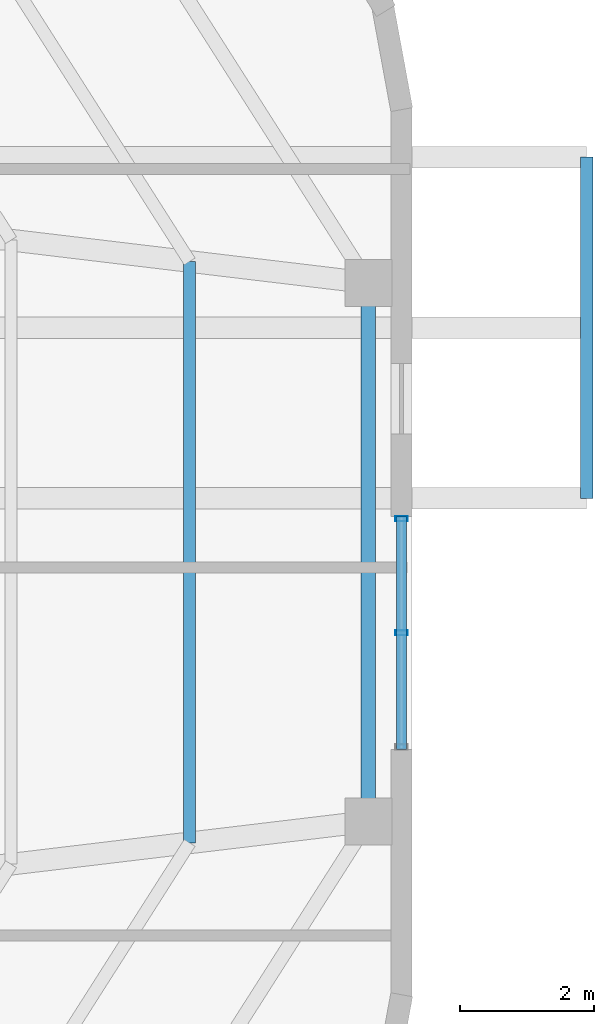
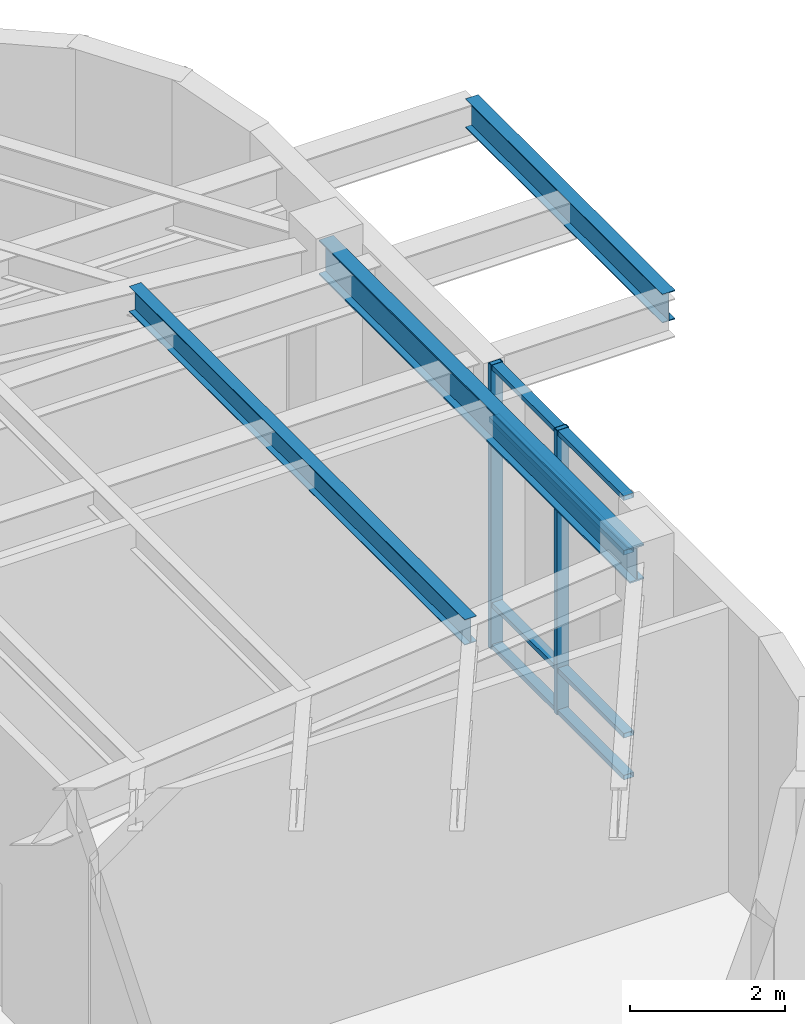
# One storey, part 10 of 18: 6 members, 3 beams, 1 element without a shape of its own.
"""IFC4 building model written with IfcOpenShell, lengths in metres."""

from ifc_helpers import new_model, si_unit, direction, frame, origin, origin_2d, place, context, subcontext, project, spatial, hollow_rectangle, i_section, extrude, material, layer, layer_set, material_profile, profile_set, type_object, element, aggregate, save


model = new_model("IFC4")

# Units and contexts
model_context = context("Model", 3, precision=1e-05, world=origin(), true_north=direction((0.0, 1.0)))
body_context = subcontext(model_context, "Body", "Model", "MODEL_VIEW")
ifc_project = project(units=[si_unit("LENGTHUNIT", "METRE"), si_unit("AREAUNIT", "SQUARE_METRE"), si_unit("VOLUMEUNIT", "CUBIC_METRE"), si_unit("PLANEANGLEUNIT", "RADIAN"), si_unit("MASSUNIT", "GRAM", prefix="KILO"), si_unit("THERMODYNAMICTEMPERATUREUNIT", "KELVIN"), si_unit("POWERUNIT", "WATT")], contexts=[model_context])

# Site, building, storey
site_placement = place(None, origin())
site = spatial("IfcSite", under=ifc_project, at=site_placement, CompositionType="ELEMENT")
building_placement = place(site_placement, origin())
building = spatial("IfcBuilding", under=site, at=building_placement, Name="Skarre Station Tower", CompositionType="ELEMENT")
storey_placement = place(building_placement, frame((0.0, 0.0, 270.300048828125)))
storey = spatial("IfcBuildingStorey", under=building, at=storey_placement, Name="L74", CompositionType="ELEMENT", Elevation=270.300048828125)

# Curtain wall, members
ifc_material_1 = material(Name="Thermally Broken Bronze-Anodized Aluminium & Triple Low-E Glass", Category="aluminium")
ifc_layer = layer(ifc_material_1, 0.219970703125, Name="Thermally Broken Bronze-Anodized Aluminium & Triple Low-E Glass")
ifc_layer_set = layer_set([ifc_layer], Name="Thermally Broken Bronze-Anodized Aluminium & Triple Low-E Glass")
curtain_wall_type = type_object("IfcCurtainWallType", Name="Observation Deck Panorama Unitised Curtain Wall", PredefinedType="NOTDEFINED", material=ifc_layer_set)
curtain_wall_placement = place(storey_placement, origin())
curtain_wall = element("IfcCurtainWall", 1, at=curtain_wall_placement, inside=storey, type_object=curtain_wall_type, Name="L74 Facet 5 Observatory Curtain Wall", PredefinedType="NOTDEFINED")
ifc_material_2 = material(Name="Anodized Aluminium 6063-T6", Category="aluminium")
ifc_material_profile_1 = material_profile(ifc_material_2, hollow_rectangle(XDim=0.074951171875, YDim=0.14990234375, WallThickness=0.00390625, at=origin_2d()), Name="Anodized Aluminium 6063-T6")
ifc_profile_set_1 = profile_set([ifc_material_profile_1], Name="Anodized Aluminium 6063-T6")
member_type_1 = type_object("IfcMemberType", Name="Curtain-Wall Secondary Transom 150x75", PredefinedType="USERDEFINED", material=ifc_profile_set_1)
member_1_placement = place(storey_placement, frame((51.05810546875, 24.535888671875, 0.0400390625), z_axis=(0.0, -1.0, 0.0), x_axis=(0.0, 0.0, 1.0)))
member_1 = element("IfcMember", 2, at=member_1_placement, type_object=member_type_1, Name="L74 Facet 5 Observatory Curtain Wall Transom 1", ObjectType="TRANSOM", PredefinedType="USERDEFINED", context=body_context, shape_type="SweptSolid", body=[
    extrude(hollow_rectangle(XDim=0.074951171875, YDim=0.14990234375, WallThickness=0.00390625, at=origin_2d()), origin(), (0.0, 0.0, 1.0), 3.48486328125),
])
member_2_placement = place(storey_placement, frame((51.05810546875, 24.535888671875, 0.699951171875), z_axis=(0.0, -1.0, 0.0), x_axis=(0.0, 0.0, 1.0)))
member_2 = element("IfcMember", 3, at=member_2_placement, type_object=member_type_1, Name="L74 Facet 5 Observatory Curtain Wall Transom 2", ObjectType="TRANSOM", PredefinedType="USERDEFINED", context=body_context, shape_type="SweptSolid", body=[
    extrude(hollow_rectangle(XDim=0.074951171875, YDim=0.14990234375, WallThickness=0.00390625, at=origin_2d()), origin(), (0.0, 0.0, 1.0), 3.48486328125),
])
member_3_placement = place(storey_placement, frame((51.05810546875, 24.535888671875, 3.58984375), z_axis=(0.0, -1.0, 0.0), x_axis=(0.0, 0.0, 1.0)))
member_3 = element("IfcMember", 4, at=member_3_placement, type_object=member_type_1, Name="L74 Facet 5 Observatory Curtain Wall Transom 3", ObjectType="TRANSOM", PredefinedType="USERDEFINED", context=body_context, shape_type="SweptSolid", body=[
    extrude(hollow_rectangle(XDim=0.074951171875, YDim=0.14990234375, WallThickness=0.00390625, at=origin_2d()), origin(), (0.0, 0.0, 1.0), 3.48486328125),
])
member_4_placement = place(storey_placement, frame((51.05810546875, 24.535888671875, 4.449951171875), z_axis=(0.0, -1.0, 0.0), x_axis=(0.0, 0.0, 1.0)))
member_4 = element("IfcMember", 5, at=member_4_placement, type_object=member_type_1, Name="L74 Facet 5 Observatory Curtain Wall Transom 4", ObjectType="TRANSOM", PredefinedType="USERDEFINED", context=body_context, shape_type="SweptSolid", body=[
    extrude(hollow_rectangle(XDim=0.074951171875, YDim=0.14990234375, WallThickness=0.00390625, at=origin_2d()), origin(), (0.0, 0.0, 1.0), 3.48486328125),
])
ifc_material_profile_2 = material_profile(ifc_material_2, hollow_rectangle(XDim=0.074951171875, YDim=0.179931640625, WallThickness=0.00390625, at=origin_2d()), Name="Anodized Aluminium 6063-T6")
ifc_profile_set_2 = profile_set([ifc_material_profile_2], Name="Anodized Aluminium 6063-T6")
member_type_2 = type_object("IfcMemberType", Name="Curtain-Wall Unitised Tower Mullion 180x75", PredefinedType="MULLION", material=ifc_profile_set_2)
member_5_placement = place(storey_placement, frame((51.05810546875, 24.49609375, 0.0), z_axis=(0.0, 0.0, 1.0), x_axis=(0.0, -1.0, 0.0)))
member_5 = element("IfcMember", 6, at=member_5_placement, type_object=member_type_2, Name="L74 Facet 5 Observatory Curtain Wall Mullion 1", PredefinedType="MULLION", context=body_context, shape_type="SweptSolid", body=[
    extrude(hollow_rectangle(XDim=0.074951171875, YDim=0.179931640625, WallThickness=0.00390625, at=origin_2d()), origin(), (0.0, 0.0, 1.0), 4.489990234375),
])
member_6_placement = place(storey_placement, frame((51.05810546875, 22.7939453125, 0.0), z_axis=(0.0, 0.0, 1.0), x_axis=(0.0, -1.0, 0.0)))
member_6 = element("IfcMember", 7, at=member_6_placement, type_object=member_type_2, Name="L74 Facet 5 Observatory Curtain Wall Mullion 2", PredefinedType="MULLION", context=body_context, shape_type="SweptSolid", body=[
    extrude(hollow_rectangle(XDim=0.074951171875, YDim=0.179931640625, WallThickness=0.00390625, at=origin_2d()), origin(), (0.0, 0.0, 1.0), 4.489990234375),
])
aggregate(curtain_wall, [member_5, member_6, member_1, member_2, member_3, member_4])

# Beams
ifc_material_3 = material(Name="Steel ASTM A992 Grade 50", Category="steel")
ifc_material_profile_3 = material_profile(ifc_material_3, i_section(OverallWidth=0.177978515625, OverallDepth=0.403076171875, WebThickness=0.008056640625, FlangeThickness=0.010986328125, at=origin_2d()), Name="Steel ASTM A992 Grade 50")
ifc_profile_set_3 = profile_set([ifc_material_profile_3], Name="Steel ASTM A992 Grade 50")
beam_type_1 = type_object("IfcBeamType", Name="Steel Joist W16X36", PredefinedType="JOIST", material=ifc_profile_set_3)
beam_1_placement = place(storey_placement, frame((47.89599609375, 19.659912109375, 4.2890625), z_axis=(0.0, 1.0, 0.0), x_axis=(-1.0, 0.0, 0.0)))
element("IfcBeam", 8, at=beam_1_placement, inside=storey, type_object=beam_type_1, Name="L74 Auxiliary Composite Joist 23", PredefinedType="JOIST", context=body_context, shape_type="SweptSolid", body=[
    extrude(i_section(OverallWidth=0.177978515625, OverallDepth=0.403076171875, WebThickness=0.008056640625, FlangeThickness=0.010986328125, at=origin_2d()), origin(), (0.0, 0.0, 1.0), 8.68017578125),
])
ifc_material_profile_4 = material_profile(ifc_material_3, i_section(OverallWidth=0.19091796875, OverallDepth=0.45703125, WebThickness=0.009033203125, FlangeThickness=0.013916015625, at=origin_2d()), Name="Steel ASTM A992 Grade 50")
ifc_profile_set_4 = profile_set([ifc_material_profile_4], Name="Steel ASTM A992 Grade 50")
beam_type_2 = type_object("IfcBeamType", Name="Steel Joist W18X50", PredefinedType="JOIST", material=ifc_profile_set_4)
beam_2_placement = place(storey_placement, frame((53.822998046875, 29.89794921875, 4.20703125), z_axis=(0.0, -1.0, 0.0), x_axis=(1.0, 0.0, 0.0)))
element("IfcBeam", 9, at=beam_2_placement, inside=storey, type_object=beam_type_2, Name="L74 LOOKOUT-L75 Rim Beam", PredefinedType="JOIST", context=body_context, shape_type="SweptSolid", body=[
    extrude(i_section(OverallWidth=0.19091796875, OverallDepth=0.45703125, WebThickness=0.009033203125, FlangeThickness=0.013916015625, at=origin_2d()), origin(), (0.0, 0.0, 1.0), 5.093994140625),
])
ifc_material_profile_5 = material_profile(ifc_material_3, i_section(OverallWidth=0.214111328125, OverallDepth=0.549072265625, WebThickness=0.014892578125, FlangeThickness=0.02392578125, at=origin_2d()), Name="Steel ASTM A992 Grade 50")
ifc_profile_set_5 = profile_set([ifc_material_profile_5], Name="Steel ASTM A992 Grade 50")
beam_type_3 = type_object("IfcBeamType", Name="Steel Spandrel W21X93", PredefinedType="SPANDREL", material=ifc_profile_set_5)
beam_3_placement = place(storey_placement, frame((50.56298828125, 19.97900390625, 4.216064453125), z_axis=(0.0, 1.0, 0.0), x_axis=(-1.0, 0.0, 0.0)))
element("IfcBeam", 10, at=beam_3_placement, inside=storey, type_object=beam_type_3, Name="L74 Facet Spandrel Beam 11", PredefinedType="SPANDREL", context=body_context, shape_type="SweptSolid", body=[
    extrude(i_section(OverallWidth=0.214111328125, OverallDepth=0.549072265625, WebThickness=0.014892578125, FlangeThickness=0.02392578125, at=origin_2d()), origin(), (0.0, 0.0, 1.0), 8.0419921875),
])

save(model, "model.ifc")
